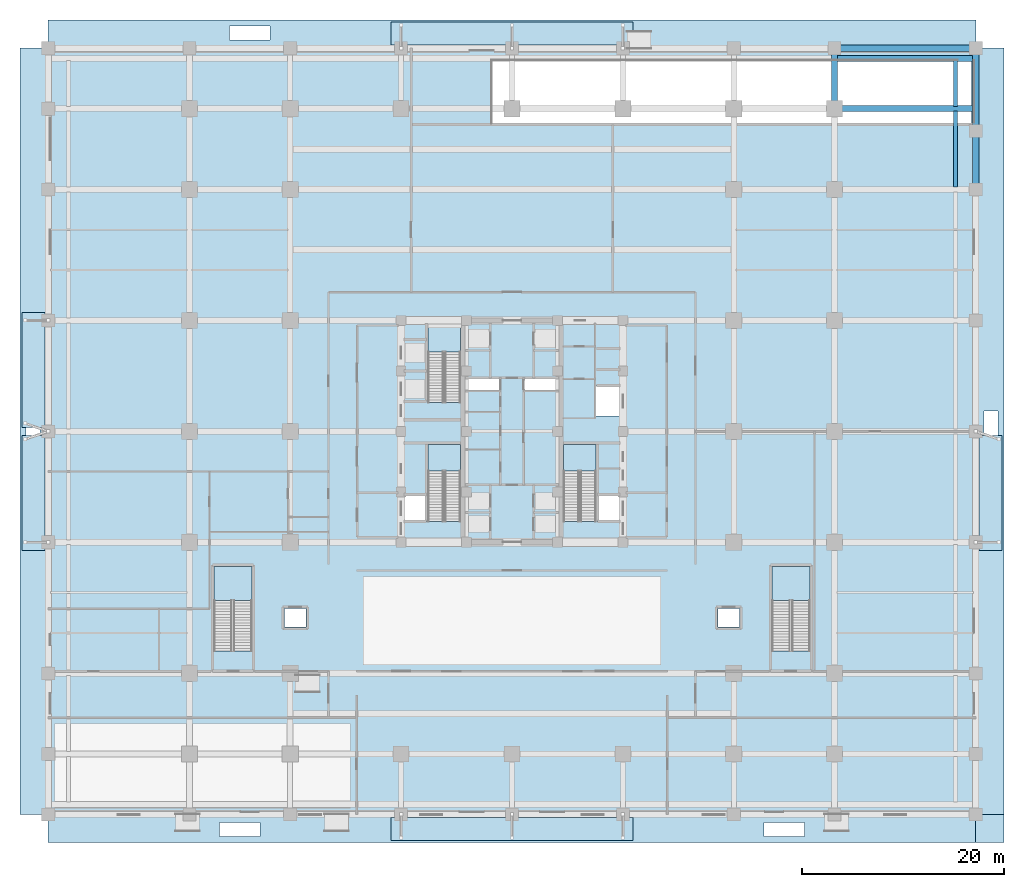
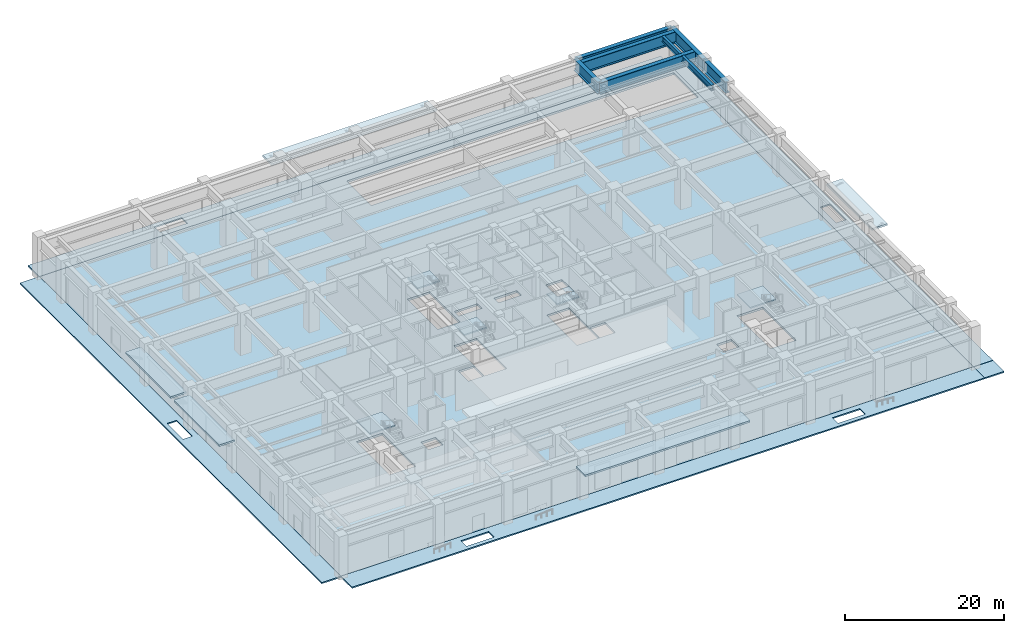
# One storey, part 3 of 21: 16 slabs, 8 beams, 5 elements without a shape of their own.
"""IFC4 building model written with IfcOpenShell, lengths in metres."""

from ifc_helpers import new_model, si_unit, direction, frame, origin, origin_2d, place, context, subcontext, project, spatial, polyline, i_section, outline, extrude, source, transform, mapped, material, layer, layer_set, material_profile, profile_set, type_object, element, aggregate, save


model = new_model("IFC4")

# Units and contexts
model_context = context("Model", 3, precision=1e-05, world=origin(), true_north=direction((0.0, 1.0)))
body_context = subcontext(model_context, "Body", "Model", "MODEL_VIEW")
ifc_project = project(units=[si_unit("LENGTHUNIT", "METRE"), si_unit("AREAUNIT", "SQUARE_METRE"), si_unit("VOLUMEUNIT", "CUBIC_METRE"), si_unit("PLANEANGLEUNIT", "RADIAN"), si_unit("MASSUNIT", "GRAM", prefix="KILO")], contexts=[model_context])

# Site, building, storey
site_placement = place(None, origin())
site = spatial("IfcSite", under=ifc_project, at=site_placement, CompositionType="ELEMENT")
building_placement = place(site_placement, origin())
building = spatial("IfcBuilding", under=site, at=building_placement, Name="Khorayat Bourse Tower", CompositionType="ELEMENT")
storey_placement = place(building_placement, origin())
storey = spatial("IfcBuildingStorey", under=building, at=storey_placement, Name="L00", CompositionType="ELEMENT", Elevation=0.0)

# Beams
ifc_material_1 = material(Name="Steel EN 10025-4 S460M", Category="steel")
ifc_material_profile_1 = material_profile(ifc_material_1, i_section(OverallWidth=0.60009765625, OverallDepth=1.800048828125, WebThickness=0.031982421875, FlangeThickness=0.06005859375, at=origin_2d()), Name="PG 1800x600x32x60")
ifc_profile_set_1 = profile_set([ifc_material_profile_1], Name="Steel EN 10025-4 S460M")
beam_type_1 = type_object("IfcBeamType", Name="BM-TR-1800", PredefinedType="BEAM", material=ifc_profile_set_1)
shared_shape_1 = source(origin(), body_context, "Body", "SweptSolid", [
    extrude(i_section(OverallWidth=0.60009765625, OverallDepth=1.800048828125, WebThickness=0.031982421875, FlangeThickness=0.06005859375, at=origin_2d()), origin(), (0.0, 0.0, 1.0), 14.0),
])
for number, where, z_axis, x_axis, name in (
    (1, (32.0, 32.0, 5.3798828125), (1.0, 0.0, 0.0), (0.0, 1.0, 0.0), "L00 BM-TR-1800 BM-L00-PGX-086"),
    (2, (32.0, 37.0, 5.3798828125), (1.0, 0.0, 0.0), (0.0, 1.0, 0.0), "L00 BM-TR-1800 BM-L00-PGX-091"),
    (3, (32.0, 38.0, 5.3798828125), (1.0, 0.0, 0.0), (0.0, 1.0, 0.0), "L00 BM-TR-1800 BM-L00-PGX-099"),
):
    element("IfcBeam", number, at=place(storey_placement, frame(where, z_axis=z_axis, x_axis=x_axis)), inside=storey, type_object=beam_type_1, Name=name, PredefinedType="BEAM", context=body_context, shape_type="MappedRepresentation", body=[
        mapped(shared_shape_1, transform((0.0, 0.0, 0.0), scale=1.0)),
    ])
shared_shape_2 = source(origin(), body_context, "Body", "SweptSolid", [
    extrude(i_section(OverallWidth=0.60009765625, OverallDepth=1.800048828125, WebThickness=0.031982421875, FlangeThickness=0.06005859375, at=origin_2d()), origin(), (0.0, 0.0, 1.0), 6.0),
])
beam_1_placement = place(storey_placement, frame((32.0, 32.0, 5.3798828125), z_axis=(0.0, 1.0, 0.0), x_axis=(-1.0, 0.0, 0.0)))
element("IfcBeam", 4, at=beam_1_placement, inside=storey, type_object=beam_type_1, Name="L00 BM-TR-1800 BM-L00-PGY-154", PredefinedType="BEAM", context=body_context, shape_type="MappedRepresentation", body=[
    mapped(shared_shape_2, transform((0.0, 0.0, 0.0), scale=1.0)),
])
shared_shape_3 = source(origin(), body_context, "Body", "SweptSolid", [
    extrude(i_section(OverallWidth=0.60009765625, OverallDepth=1.800048828125, WebThickness=0.031982421875, FlangeThickness=0.06005859375, at=origin_2d()), origin(), (0.0, 0.0, 1.0), 5.800048828125),
])
beam_2_placement = place(storey_placement, frame((46.0, 24.0, 5.3798828125), z_axis=(0.0, 1.0, 0.0), x_axis=(-1.0, 0.0, 0.0)))
element("IfcBeam", 5, at=beam_2_placement, inside=storey, type_object=beam_type_1, Name="L00 BM-TR-1800 BM-L00-PGY-169", PredefinedType="BEAM", context=body_context, shape_type="MappedRepresentation", body=[
    mapped(shared_shape_3, transform((0.0, 0.0, 0.0), scale=1.0)),
])
shared_shape_4 = source(origin(), body_context, "Body", "SweptSolid", [
    extrude(i_section(OverallWidth=0.60009765625, OverallDepth=1.800048828125, WebThickness=0.031982421875, FlangeThickness=0.06005859375, at=origin_2d()), origin(), (0.0, 0.0, 1.0), 8.199951171875),
])
beam_3_placement = place(storey_placement, frame((46.0, 29.800048828125, 5.3798828125), z_axis=(0.0, 1.0, 0.0), x_axis=(-1.0, 0.0, 0.0)))
element("IfcBeam", 6, at=beam_3_placement, inside=storey, type_object=beam_type_1, Name="L00 BM-TR-1800 BM-L00-PGY-170", PredefinedType="BEAM", context=body_context, shape_type="MappedRepresentation", body=[
    mapped(shared_shape_4, transform((0.0, 0.0, 0.0), scale=1.0)),
])
ifc_material_2 = material(Name="Steel ASTM A992 Grade 50", Category="steel")
ifc_material_profile_2 = material_profile(ifc_material_2, i_section(OverallWidth=0.39990234375, OverallDepth=0.85498046875, WebThickness=0.018310546875, FlangeThickness=0.029296875, FilletRadius=0.02001953125, at=origin_2d()), Name="W840X299")
ifc_profile_set_2 = profile_set([ifc_material_profile_2], Name="Steel ASTM A992 Grade 50")
beam_type_2 = type_object("IfcBeamType", Name="BM-GIRD-840", PredefinedType="BEAM", material=ifc_profile_set_2)
shared_shape_5 = source(origin(), body_context, "Body", "SweptSolid", [
    extrude(i_section(OverallWidth=0.39990234375, OverallDepth=0.85498046875, WebThickness=0.018310546875, FlangeThickness=0.029296875, FilletRadius=0.02001953125, at=origin_2d()), origin(), (0.0, 0.0, 1.0), 4.52001953125),
])
beam_4_placement = place(storey_placement, frame((44.0, 32.239990234375, 5.8525390625), z_axis=(0.0, 1.0, 0.0), x_axis=(-1.0, 0.0, 0.0)))
element("IfcBeam", 7, at=beam_4_placement, inside=storey, type_object=beam_type_2, Name="L00 BM-GIRD-840 BM-L00-PGY-162", PredefinedType="BEAM", context=body_context, shape_type="MappedRepresentation", body=[
    mapped(shared_shape_5, transform((0.0, 0.0, 0.0), scale=1.0)),
])
shared_shape_6 = source(origin(), body_context, "Body", "SweptSolid", [
    extrude(i_section(OverallWidth=0.39990234375, OverallDepth=0.85498046875, WebThickness=0.018310546875, FlangeThickness=0.029296875, FilletRadius=0.02001953125, at=origin_2d()), origin(), (0.0, 0.0, 1.0), 7.52001953125),
])
beam_5_placement = place(storey_placement, frame((44.0, 24.239990234375, 5.8525390625), z_axis=(0.0, 1.0, 0.0), x_axis=(-1.0, 0.0, 0.0)))
element("IfcBeam", 8, at=beam_5_placement, inside=storey, type_object=beam_type_2, Name="L00 BM-GIRD-840 BM-L00-PGY-161", PredefinedType="BEAM", context=body_context, shape_type="MappedRepresentation", body=[
    mapped(shared_shape_6, transform((0.0, 0.0, 0.0), scale=1.0)),
])

# Stair, slab
ifc_material_3 = material(Name="Concrete C40/50", Category="concrete")
stair_type_1 = type_object("IfcStairType", Name="STR-CORE-1550", PredefinedType="HALF_TURN_STAIR", material=ifc_material_3)
stair_1_placement = place(storey_placement, origin())
stair_1 = element("IfcStair", 9, at=stair_1_placement, inside=storey, type_object=stair_type_1, Name="L00 Exit Stair ST-1", PredefinedType="HALF_TURN_STAIR")
ifc_layer_1 = layer(ifc_material_3, 0.199951171875)
ifc_layer_set_1 = layer_set([ifc_layer_1], Name="Concrete C40/50")
slab_type_1 = type_object("IfcSlabType", Name="SLB-LANDING-200", PredefinedType="LANDING", material=ifc_layer_set_1)
slab_1_placement = place(storey_placement, frame((0.0, 0.0, 3.10009765625)))
slab_1 = element("IfcSlab", 10, at=slab_1_placement, type_object=slab_type_1, Name="ST-1 landing 1", PredefinedType="LANDING", context=body_context, shape_type="SweptSolid", body=[
    extrude(outline(polyline([(-5.10009765625, -3.909912109375), (-5.10009765625, -1.300048828125), (-8.35009765625, -1.300048828125), (-8.35009765625, -3.909912109375), (-5.10009765625, -3.909912109375)])), origin(), (0.0, 0.0, 1.0), 0.199951171875),
])
aggregate(stair_1, [slab_1])

stair_2_placement = place(storey_placement, origin())
stair_2 = element("IfcStair", 11, at=stair_2_placement, inside=storey, type_object=stair_type_1, Name="L00 Exit Stair ST-2", PredefinedType="HALF_TURN_STAIR")
slab_2_placement = place(storey_placement, frame((0.0, 0.0, 3.10009765625)))
slab_2 = element("IfcSlab", 12, at=slab_2_placement, type_object=slab_type_1, Name="ST-2 landing 1", PredefinedType="LANDING", context=body_context, shape_type="SweptSolid", body=[
    extrude(outline(polyline([(-5.10009765625, 7.889892578125), (-5.10009765625, 10.5), (-8.35009765625, 10.5), (-8.35009765625, 7.889892578125), (-5.10009765625, 7.889892578125)])), origin(), (0.0, 0.0, 1.0), 0.199951171875),
])
aggregate(stair_2, [slab_2])

stair_3_placement = place(storey_placement, origin())
stair_3 = element("IfcStair", 13, at=stair_3_placement, inside=storey, type_object=stair_type_1, Name="L00 Exit Stair ST-3", PredefinedType="HALF_TURN_STAIR")
slab_3_placement = place(storey_placement, frame((0.0, 0.0, 3.10009765625)))
slab_3 = element("IfcSlab", 14, at=slab_3_placement, type_object=slab_type_1, Name="ST-3 landing 1", PredefinedType="LANDING", context=body_context, shape_type="SweptSolid", body=[
    extrude(outline(polyline([(8.35009765625, -3.909912109375), (8.35009765625, -1.300048828125), (5.10009765625, -1.300048828125), (5.10009765625, -3.909912109375), (8.35009765625, -3.909912109375)])), origin(), (0.0, 0.0, 1.0), 0.199951171875),
])
aggregate(stair_3, [slab_3])

stair_type_2 = type_object("IfcStairType", Name="STR-POD-1800", PredefinedType="HALF_TURN_STAIR", material=ifc_material_3)
stair_4_placement = place(storey_placement, origin())
stair_4 = element("IfcStair", 15, at=stair_4_placement, inside=storey, type_object=stair_type_2, Name="L00 Exit Stair ST-P1", PredefinedType="HALF_TURN_STAIR")
slab_4_placement = place(storey_placement, frame((0.0, 0.0, 3.10009765625)))
slab_4 = element("IfcSlab", 16, at=slab_4_placement, type_object=slab_type_1, Name="ST-P1 landing 1", PredefinedType="LANDING", context=body_context, shape_type="SweptSolid", body=[
    extrude(outline(polyline([(-25.800048828125, -16.760009765625), (-25.800048828125, -13.39990234375), (-29.550048828125, -13.39990234375), (-29.550048828125, -16.760009765625), (-25.800048828125, -16.760009765625)])), origin(), (0.0, 0.0, 1.0), 0.199951171875),
])
aggregate(stair_4, [slab_4])

stair_5_placement = place(storey_placement, origin())
stair_5 = element("IfcStair", 17, at=stair_5_placement, inside=storey, type_object=stair_type_2, Name="L00 Exit Stair ST-P2", PredefinedType="HALF_TURN_STAIR")
slab_5_placement = place(storey_placement, frame((0.0, 0.0, 3.10009765625)))
slab_5 = element("IfcSlab", 18, at=slab_5_placement, type_object=slab_type_1, Name="ST-P2 landing 1", PredefinedType="LANDING", context=body_context, shape_type="SweptSolid", body=[
    extrude(outline(polyline([(29.550048828125, -16.760009765625), (29.550048828125, -13.39990234375), (25.800048828125, -13.39990234375), (25.800048828125, -16.760009765625), (29.550048828125, -16.760009765625)])), origin(), (0.0, 0.0, 1.0), 0.199951171875),
])
aggregate(stair_5, [slab_5])

# Slabs
ifc_material_4 = material(Name="Precast concrete C45/55", Category="concrete")
ifc_layer_2 = layer(ifc_material_4, 0.199951171875)
ifc_layer_set_2 = layer_set([ifc_layer_2], Name="Precast concrete C45/55")
slab_type_2 = type_object("IfcSlabType", Name="SLB-PLAZA-200", PredefinedType="USERDEFINED", material=ifc_layer_set_2)
slab_6_placement = place(storey_placement, frame((0.0, 0.0, -0.199951171875)))
element("IfcSlab", 19, at=slab_6_placement, inside=storey, type_object=slab_type_2, Name="L00 Public Forecourt Plaza Paving SOUTH", ObjectType="PAVING", PredefinedType="USERDEFINED", context=body_context, shape_type="SweptSolid", body=[
    extrude(outline(polyline([(-46.0, -40.800048828125), (46.0, -40.800048828125), (46.0, -37.97998046875), (-46.0, -37.97998046875), (-46.0, -40.800048828125)]), holes=[polyline([(-29.0, -40.199951171875), (-25.0, -40.199951171875), (-25.0, -38.800048828125), (-29.0, -38.800048828125), (-29.0, -40.199951171875)]), polyline([(25.0, -40.199951171875), (29.0, -40.199951171875), (29.0, -38.800048828125), (25.0, -38.800048828125), (25.0, -40.199951171875)])]), origin(), (0.0, 0.0, 1.0), 0.199951171875),
])
slab_7_placement = place(storey_placement, frame((0.0, 0.0, -0.199951171875)))
element("IfcSlab", 20, at=slab_7_placement, inside=storey, type_object=slab_type_2, Name="L00 Public Forecourt Plaza Paving NORTH", ObjectType="PAVING", PredefinedType="USERDEFINED", context=body_context, shape_type="SweptSolid", body=[
    extrude(outline(polyline([(-46.0, 37.97998046875), (46.0, 37.97998046875), (46.0, 40.800048828125), (-46.0, 40.800048828125), (-46.0, 37.97998046875)]), holes=[polyline([(-28.0, 38.800048828125), (-24.0, 38.800048828125), (-24.0, 40.199951171875), (-28.0, 40.199951171875), (-28.0, 38.800048828125)])]), origin(), (0.0, 0.0, 1.0), 0.199951171875),
])
slab_8_placement = place(storey_placement, frame((0.0, 0.0, -0.199951171875)))
element("IfcSlab", 21, at=slab_8_placement, inside=storey, type_object=slab_type_2, Name="L00 Public Forecourt Plaza Paving WEST", ObjectType="PAVING", PredefinedType="USERDEFINED", context=body_context, shape_type="SweptSolid", body=[
    extrude(outline(polyline([(-48.800048828125, -38.0), (-45.97998046875, -38.0), (-45.97998046875, 38.0), (-48.800048828125, 38.0), (-48.800048828125, -38.0)]), holes=[polyline([(-48.199951171875, -2.0), (-46.800048828125, -2.0), (-46.800048828125, 2.0), (-48.199951171875, 2.0), (-48.199951171875, -2.0)])]), origin(), (0.0, 0.0, 1.0), 0.199951171875),
])
slab_9_placement = place(storey_placement, frame((0.0, 0.0, -0.199951171875)))
element("IfcSlab", 22, at=slab_9_placement, inside=storey, type_object=slab_type_2, Name="L00 Public Forecourt Plaza Paving EAST", ObjectType="PAVING", PredefinedType="USERDEFINED", context=body_context, shape_type="SweptSolid", body=[
    extrude(outline(polyline([(45.97998046875, -38.0), (48.800048828125, -38.0), (48.800048828125, 38.0), (45.97998046875, 38.0), (45.97998046875, -38.0)]), holes=[polyline([(46.800048828125, -2.0), (48.199951171875, -2.0), (48.199951171875, 2.0), (46.800048828125, 2.0), (46.800048828125, -2.0)])]), origin(), (0.0, 0.0, 1.0), 0.199951171875),
])
slab_10_placement = place(storey_placement, frame((0.0, 0.0, -0.199951171875)))
element("IfcSlab", 23, at=slab_10_placement, inside=storey, type_object=slab_type_2, Name="L00 Public Forecourt Plaza Paving SE-CNR", ObjectType="PAVING", PredefinedType="USERDEFINED", context=body_context, shape_type="SweptSolid", body=[
    extrude(outline(polyline([(45.97998046875, -40.800048828125), (48.800048828125, -40.800048828125), (48.800048828125, -38.02001953125), (45.97998046875, -38.02001953125), (45.97998046875, -40.800048828125)])), origin(), (0.0, 0.0, 1.0), 0.199951171875),
])
ifc_layer_3 = layer(ifc_material_3, 0.320068359375)
ifc_layer_set_3 = layer_set([ifc_layer_3], Name="Concrete C40/50")
slab_type_3 = type_object("IfcSlabType", Name="SLB-POD-320", PredefinedType="FLOOR", material=ifc_layer_set_3)
slab_11_placement = place(storey_placement, frame((0.0, 0.0, -0.320068359375)))
element("IfcSlab", 24, at=slab_11_placement, inside=storey, type_object=slab_type_3, Name="L00 Main Floor Slab", PredefinedType="FLOOR", context=body_context, shape_type="SweptSolid", body=[
    extrude(outline(polyline([(-46.0, -38.0), (46.0, -38.0), (46.0, 38.0), (-46.0, 38.0), (-46.0, -38.0)]), holes=[polyline([(-8.35009765625, -8.945068359375), (-5.10009765625, -8.945068359375), (-5.10009765625, -1.300048828125), (-8.35009765625, -1.300048828125), (-8.35009765625, -8.945068359375)]), polyline([(-8.35009765625, 2.85498046875), (-5.10009765625, 2.85498046875), (-5.10009765625, 10.5), (-8.35009765625, 10.5), (-8.35009765625, 2.85498046875)]), polyline([(5.10009765625, -8.945068359375), (8.35009765625, -8.945068359375), (8.35009765625, -1.300048828125), (5.10009765625, -1.300048828125), (5.10009765625, -8.945068359375)]), polyline([(-29.550048828125, -21.794921875), (-25.800048828125, -21.794921875), (-25.800048828125, -13.39990234375), (-29.550048828125, -13.39990234375), (-29.550048828125, -21.794921875)]), polyline([(25.800048828125, -21.794921875), (29.550048828125, -21.794921875), (29.550048828125, -13.39990234375), (25.800048828125, -13.39990234375), (25.800048828125, -21.794921875)]), polyline([(-22.580078125, -19.429931640625), (-20.419921875, -19.429931640625), (-20.419921875, -17.570068359375), (-22.580078125, -17.570068359375), (-22.580078125, -19.429931640625)]), polyline([(20.419921875, -19.429931640625), (22.580078125, -19.429931640625), (22.580078125, -17.570068359375), (20.419921875, -17.570068359375), (20.419921875, -19.429931640625)]), polyline([(-10.679931640625, -8.929931640625), (-8.419921875, -8.929931640625), (-8.419921875, -6.3701171875), (-10.679931640625, -6.3701171875), (-10.679931640625, -8.929931640625)]), polyline([(8.419921875, -8.929931640625), (10.679931640625, -8.929931640625), (10.679931640625, -6.3701171875), (8.419921875, -6.3701171875), (8.419921875, -8.929931640625)]), polyline([(8.320068359375, 1.52001953125), (10.679931640625, 1.52001953125), (10.679931640625, 4.47998046875), (8.320068359375, 4.47998046875), (8.320068359375, 1.52001953125)]), polyline([(-4.56005859375, 4.080078125), (-1.18994140625, 4.080078125), (-1.18994140625, 5.219970703125), (-4.56005859375, 5.219970703125), (-4.56005859375, 4.080078125)]), polyline([(1.18994140625, 4.080078125), (4.56005859375, 4.080078125), (4.56005859375, 5.219970703125), (1.18994140625, 5.219970703125), (1.18994140625, 4.080078125)]), polyline([(-2.0, 30.60009765625), (45.60009765625, 30.60009765625), (45.60009765625, 36.800048828125), (-2.0, 36.800048828125), (-2.0, 30.60009765625)])]), origin(), (0.0, 0.0, 1.0), 0.320068359375),
])
ifc_layer_4 = layer(ifc_material_3, 0.280029296875)
ifc_layer_set_4 = layer_set([ifc_layer_4], Name="Concrete C40/50")
slab_type_4 = type_object("IfcSlabType", Name="SLB-PODROOF-280", PredefinedType="ROOF", material=ifc_layer_set_4)
slab_12_placement = place(storey_placement, frame((0.0, 0.0, 4.919921875)))
element("IfcSlab", 25, at=slab_12_placement, inside=storey, type_object=slab_type_4, Name="L00 Entrance Canopy Roof Slab S-IWAN", PredefinedType="ROOF", context=body_context, shape_type="SweptSolid", body=[
    extrude(outline(polyline([(-12.0, -40.60009765625), (12.0, -40.60009765625), (12.0, -38.320068359375), (-12.0, -38.320068359375), (-12.0, -40.60009765625)])), origin(), (0.0, 0.0, 1.0), 0.280029296875),
])
slab_13_placement = place(storey_placement, frame((0.0, 0.0, 4.919921875)))
element("IfcSlab", 26, at=slab_13_placement, inside=storey, type_object=slab_type_4, Name="L00 Entrance Canopy Roof Slab N-DROP", PredefinedType="ROOF", context=body_context, shape_type="SweptSolid", body=[
    extrude(outline(polyline([(-12.0, 38.320068359375), (12.0, 38.320068359375), (12.0, 40.60009765625), (-12.0, 40.60009765625), (-12.0, 38.320068359375)])), origin(), (0.0, 0.0, 1.0), 0.280029296875),
])
slab_14_placement = place(storey_placement, frame((0.0, 0.0, 4.919921875)))
element("IfcSlab", 27, at=slab_14_placement, inside=storey, type_object=slab_type_4, Name="L00 Entrance Canopy Roof Slab W-ARC-1", PredefinedType="ROOF", context=body_context, shape_type="SweptSolid", body=[
    extrude(outline(polyline([(-48.60009765625, -11.800048828125), (-46.320068359375, -11.800048828125), (-46.320068359375, -0.39990234375), (-48.60009765625, -0.39990234375), (-48.60009765625, -11.800048828125)])), origin(), (0.0, 0.0, 1.0), 0.280029296875),
])
slab_15_placement = place(storey_placement, frame((0.0, 0.0, 4.919921875)))
element("IfcSlab", 28, at=slab_15_placement, inside=storey, type_object=slab_type_4, Name="L00 Entrance Canopy Roof Slab W-ARC-2", PredefinedType="ROOF", context=body_context, shape_type="SweptSolid", body=[
    extrude(outline(polyline([(-48.60009765625, 0.39990234375), (-46.320068359375, 0.39990234375), (-46.320068359375, 11.800048828125), (-48.60009765625, 11.800048828125), (-48.60009765625, 0.39990234375)])), origin(), (0.0, 0.0, 1.0), 0.280029296875),
])
slab_16_placement = place(storey_placement, frame((0.0, 0.0, 4.919921875)))
element("IfcSlab", 29, at=slab_16_placement, inside=storey, type_object=slab_type_4, Name="L00 Entrance Canopy Roof Slab E-DOCK", PredefinedType="ROOF", context=body_context, shape_type="SweptSolid", body=[
    extrude(outline(polyline([(46.320068359375, -11.800048828125), (48.60009765625, -11.800048828125), (48.60009765625, -0.39990234375), (46.320068359375, -0.39990234375), (46.320068359375, -11.800048828125)])), origin(), (0.0, 0.0, 1.0), 0.280029296875),
])

save(model, "model.ifc")
